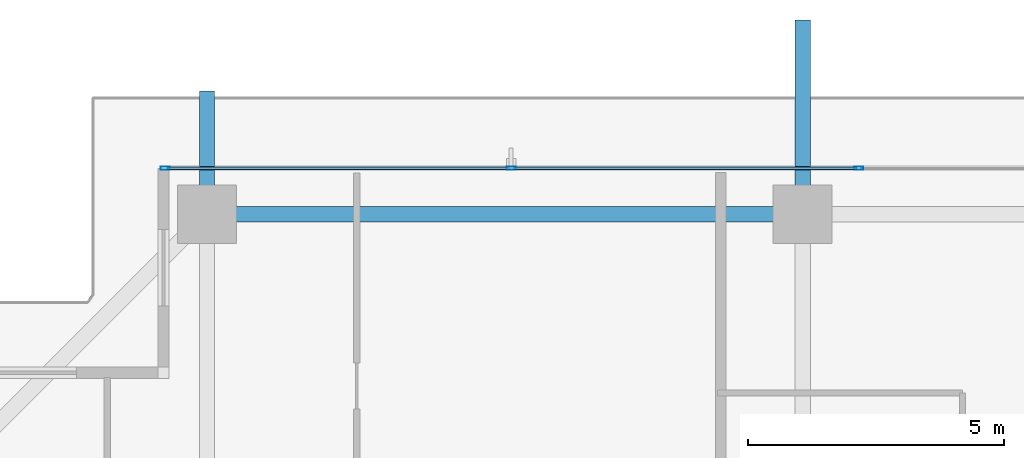
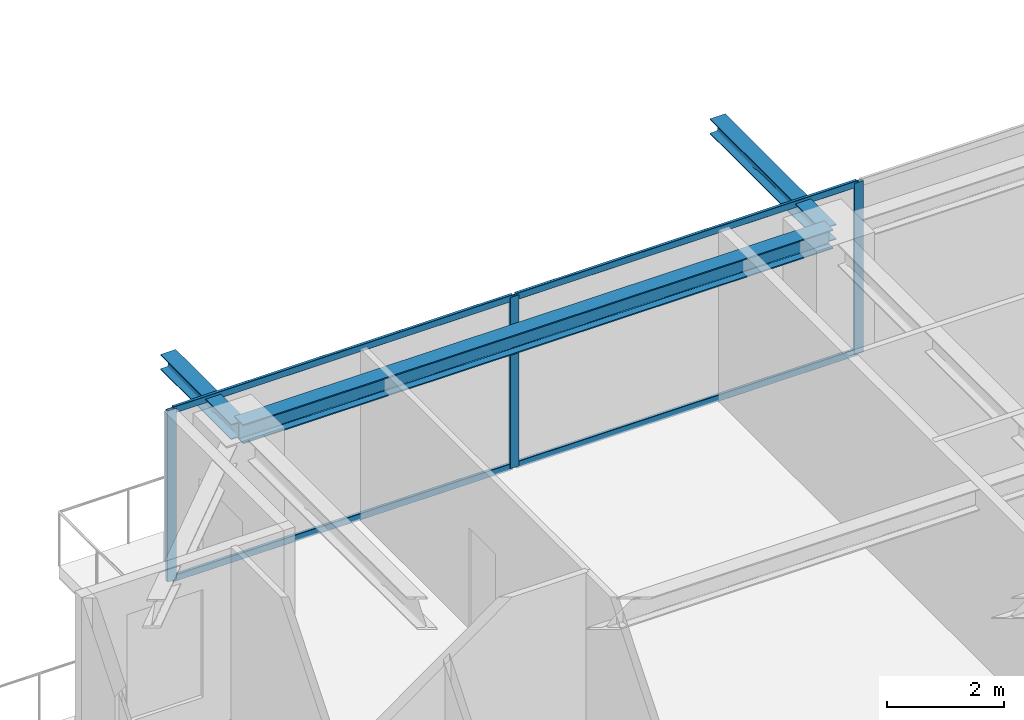
# One storey, part 20 of 38: 7 members, 3 beams, 1 element without a shape of its own.
"""IFC4 building model written with IfcOpenShell, lengths in metres."""

from ifc_helpers import new_model, si_unit, direction, frame, origin, origin_2d, place, context, subcontext, project, spatial, hollow_rectangle, i_section, extrude, source, transform, mapped, material, layer, layer_set, material_profile, profile_set, type_object, element, aggregate, save


model = new_model("IFC4")

# Units and contexts
model_context = context("Model", 3, precision=1e-05, world=origin(), true_north=direction((0.0, 1.0)))
body_context = subcontext(model_context, "Body", "Model", "MODEL_VIEW")
ifc_project = project(units=[si_unit("LENGTHUNIT", "METRE"), si_unit("AREAUNIT", "SQUARE_METRE"), si_unit("VOLUMEUNIT", "CUBIC_METRE"), si_unit("PLANEANGLEUNIT", "RADIAN"), si_unit("MASSUNIT", "GRAM", prefix="KILO")], contexts=[model_context])

# Site, building, storey
site_placement = place(None, origin())
site = spatial("IfcSite", under=ifc_project, at=site_placement, CompositionType="ELEMENT")
building_placement = place(site_placement, origin())
building = spatial("IfcBuilding", under=site, at=building_placement, Name="Serunith Strait Residences", CompositionType="ELEMENT")
storey_placement = place(building_placement, frame((0.0, 0.0, 229.699951171875)))
storey = spatial("IfcBuildingStorey", under=building, at=storey_placement, Name="L57", CompositionType="ELEMENT", Elevation=229.699951171875)

# Beams
ifc_material_1 = material(Name="Steel S355J2", Category="steel")
ifc_material_profile_1 = material_profile(ifc_material_1, i_section(OverallWidth=0.300048828125, OverallDepth=0.39990234375, WebThickness=0.013427734375, FlangeThickness=0.02392578125, FilletRadius=0.027099609375, at=origin_2d()), Name="HEB 400")
ifc_profile_set_1 = profile_set([ifc_material_profile_1], Name="Steel S355J2")
beam_type_1 = type_object("IfcBeamType", Name="BM-HEB400", PredefinedType="BEAM", material=ifc_profile_set_1)
shared_shape_1 = source(origin(), body_context, "Body", "SweptSolid", [
    extrude(i_section(OverallWidth=0.300048828125, OverallDepth=0.39990234375, WebThickness=0.013427734375, FlangeThickness=0.02392578125, FilletRadius=0.027099609375, at=origin_2d()), origin(), (0.0, 0.0, 1.0), 11.64990234375),
])
beam_1_placement = place(storey_placement, frame((27.89990234375, 48.300048828125, 3.386962890625), z_axis=(-1.0, 0.0, 0.0), x_axis=(0.0, -1.0, 0.0)))
element("IfcBeam", 1, at=beam_1_placement, inside=storey, type_object=beam_type_1, Name="L57 Perimeter Ring Beam 11", PredefinedType="BEAM", context=body_context, shape_type="MappedRepresentation", body=[
    mapped(shared_shape_1, transform((0.0, 0.0, 0.0), scale=1.0)),
])
ifc_material_profile_2 = material_profile(ifc_material_1, i_section(OverallWidth=0.300048828125, OverallDepth=0.320068359375, WebThickness=0.011474609375, FlangeThickness=0.0205078125, FilletRadius=0.027099609375, at=origin_2d()), Name="HEB 320")
ifc_profile_set_2 = profile_set([ifc_material_profile_2], Name="Steel S355J2")
beam_type_2 = type_object("IfcBeamType", Name="BM-HEB320", PredefinedType="BEAM", material=ifc_profile_set_2)
shared_shape_2 = source(origin(), body_context, "Body", "SweptSolid", [
    extrude(i_section(OverallWidth=0.300048828125, OverallDepth=0.320068359375, WebThickness=0.011474609375, FlangeThickness=0.0205078125, FilletRadius=0.027099609375, at=origin_2d()), origin(), (0.0, 0.0, 1.0), 3.800048828125),
])
beam_2_placement = place(storey_placement, frame((27.89990234375, 48.300048828125, 3.39697265625), z_axis=(0.0, 1.0, 0.0), x_axis=(-1.0, 0.0, 0.0)))
element("IfcBeam", 2, at=beam_2_placement, inside=storey, type_object=beam_type_2, Name="L58 Cantilevered Balcony Rib TC-N2", PredefinedType="BEAM", context=body_context, shape_type="MappedRepresentation", body=[
    mapped(shared_shape_2, transform((0.0, 0.0, 0.0), scale=1.0)),
])
shared_shape_3 = source(origin(), body_context, "Body", "SweptSolid", [
    extrude(i_section(OverallWidth=0.300048828125, OverallDepth=0.320068359375, WebThickness=0.011474609375, FlangeThickness=0.0205078125, FilletRadius=0.027099609375, at=origin_2d()), origin(), (0.0, 0.0, 1.0), 2.41455078125),
])
beam_3_placement = place(storey_placement, frame((16.25, 48.300048828125, 3.39697265625), z_axis=(0.0, 1.0, 0.0), x_axis=(-1.0, 0.0, 0.0)))
element("IfcBeam", 3, at=beam_3_placement, inside=storey, type_object=beam_type_2, Name="L58 Cantilevered Balcony Rib TC-N1", PredefinedType="BEAM", context=body_context, shape_type="MappedRepresentation", body=[
    mapped(shared_shape_3, transform((0.0, 0.0, 0.0), scale=1.0)),
])

# Curtain wall, members
ifc_material_2 = material(Name="Pale-Champagne Anodised Aluminium", Category="aluminium")
ifc_layer = layer(ifc_material_2, 0.199951171875, Name="Pale-Champagne Anodised Aluminium")
ifc_layer_set = layer_set([ifc_layer], Name="Pale-Champagne Anodised Aluminium")
curtain_wall_type = type_object("IfcCurtainWallType", Name="CW-SYS4", PredefinedType="NOTDEFINED", material=ifc_layer_set)
curtain_wall_placement = place(storey_placement, origin())
curtain_wall = element("IfcCurtainWall", 4, at=curtain_wall_placement, inside=storey, type_object=curtain_wall_type, Name="L57 N Unitised Fritted Curtain Wall", PredefinedType="NOTDEFINED")
ifc_material_profile_3 = material_profile(ifc_material_2, hollow_rectangle(XDim=0.06494140625, YDim=0.179931640625, WallThickness=0.00341796875, InnerFilletRadius=0.00537109375, OuterFilletRadius=0.0087890625, at=origin_2d()), Name="ALU 180x65x3.5")
ifc_profile_set_3 = profile_set([ifc_material_profile_3], Name="Pale-Champagne Anodised Aluminium")
member_type_1 = type_object("IfcMemberType", Name="CW-SYS4-MULL", PredefinedType="MULLION", material=ifc_profile_set_3)
shared_shape_4 = source(origin(), body_context, "Body", "SweptSolid", [
    extrude(hollow_rectangle(XDim=0.06494140625, YDim=0.179931640625, WallThickness=0.00341796875, InnerFilletRadius=0.00537109375, OuterFilletRadius=0.0087890625, at=origin_2d()), origin(), (0.0, 0.0, 1.0), 3.574951171875),
])
member_1_placement = place(storey_placement, frame((29.0, 49.199951171875, 0.0), z_axis=(0.0, 0.0, 1.0), x_axis=(0.0, -1.0, 0.0)))
member_1 = element("IfcMember", 5, at=member_1_placement, type_object=member_type_1, Name="CW-4 mullion 4", PredefinedType="MULLION", context=body_context, shape_type="MappedRepresentation", body=[
    mapped(shared_shape_4, transform((0.0, 0.0, 0.0), scale=1.0)),
])
member_2_placement = place(storey_placement, frame((22.199951171875, 49.199951171875, 0.0), z_axis=(0.0, 0.0, 1.0), x_axis=(0.0, -1.0, 0.0)))
member_2 = element("IfcMember", 6, at=member_2_placement, type_object=member_type_1, Name="CW-4 mullion 5", PredefinedType="MULLION", context=body_context, shape_type="MappedRepresentation", body=[
    mapped(shared_shape_4, transform((0.0, 0.0, 0.0), scale=1.0)),
])
member_3_placement = place(storey_placement, frame((15.4326171875, 49.199951171875, 0.0), z_axis=(0.0, 0.0, 1.0), x_axis=(0.0, -1.0, 0.0)))
member_3 = element("IfcMember", 7, at=member_3_placement, type_object=member_type_1, Name="CW-4 mullion 6", PredefinedType="MULLION", context=body_context, shape_type="MappedRepresentation", body=[
    mapped(shared_shape_4, transform((0.0, 0.0, 0.0), scale=1.0)),
])
ifc_material_profile_4 = material_profile(ifc_material_2, hollow_rectangle(XDim=0.06005859375, YDim=0.139892578125, WallThickness=0.00341796875, InnerFilletRadius=0.00537109375, OuterFilletRadius=0.0087890625, at=origin_2d()), Name="ALU 140x60x3.5")
ifc_profile_set_4 = profile_set([ifc_material_profile_4], Name="Pale-Champagne Anodised Aluminium")
member_type_2 = type_object("IfcMemberType", Name="CW-SYS4-TRAN", PredefinedType="USERDEFINED", material=ifc_profile_set_4)
shared_shape_5 = source(origin(), body_context, "Body", "SweptSolid", [
    extrude(hollow_rectangle(XDim=0.06005859375, YDim=0.139892578125, WallThickness=0.00341796875, InnerFilletRadius=0.00537109375, OuterFilletRadius=0.0087890625, at=origin_2d()), origin(), (0.0, 0.0, 1.0), 6.702392578125),
])
member_4_placement = place(storey_placement, frame((22.16748046875, 49.199951171875, 0.030029296875), z_axis=(-1.0, 0.0, 0.0), x_axis=(0.0, -1.0, 0.0)))
member_4 = element("IfcMember", 8, at=member_4_placement, type_object=member_type_2, Name="CW-4 transom 5.1", ObjectType="TRANSOM", PredefinedType="USERDEFINED", context=body_context, shape_type="MappedRepresentation", body=[
    mapped(shared_shape_5, transform((0.0, 0.0, 0.0), scale=1.0)),
])
member_5_placement = place(storey_placement, frame((22.16748046875, 49.199951171875, 3.545166015625), z_axis=(-1.0, 0.0, 0.0), x_axis=(0.0, -1.0, 0.0)))
member_5 = element("IfcMember", 9, at=member_5_placement, type_object=member_type_2, Name="CW-4 transom 5.2", ObjectType="TRANSOM", PredefinedType="USERDEFINED", context=body_context, shape_type="MappedRepresentation", body=[
    mapped(shared_shape_5, transform((0.0, 0.0, 0.0), scale=1.0)),
])
shared_shape_6 = source(origin(), body_context, "Body", "SweptSolid", [
    extrude(hollow_rectangle(XDim=0.06005859375, YDim=0.139892578125, WallThickness=0.00341796875, InnerFilletRadius=0.00537109375, OuterFilletRadius=0.0087890625, at=origin_2d()), origin(), (0.0, 0.0, 1.0), 6.735107421875),
])
member_6_placement = place(storey_placement, frame((28.967529296875, 49.199951171875, 0.030029296875), z_axis=(-1.0, 0.0, 0.0), x_axis=(0.0, -1.0, 0.0)))
member_6 = element("IfcMember", 10, at=member_6_placement, type_object=member_type_2, Name="CW-4 transom 4.1", ObjectType="TRANSOM", PredefinedType="USERDEFINED", context=body_context, shape_type="MappedRepresentation", body=[
    mapped(shared_shape_6, transform((0.0, 0.0, 0.0), scale=1.0)),
])
member_7_placement = place(storey_placement, frame((28.967529296875, 49.199951171875, 3.545166015625), z_axis=(-1.0, 0.0, 0.0), x_axis=(0.0, -1.0, 0.0)))
member_7 = element("IfcMember", 11, at=member_7_placement, type_object=member_type_2, Name="CW-4 transom 4.2", ObjectType="TRANSOM", PredefinedType="USERDEFINED", context=body_context, shape_type="MappedRepresentation", body=[
    mapped(shared_shape_6, transform((0.0, 0.0, 0.0), scale=1.0)),
])
aggregate(curtain_wall, [member_1, member_2, member_3, member_6, member_7, member_4, member_5])

save(model, "model.ifc")
